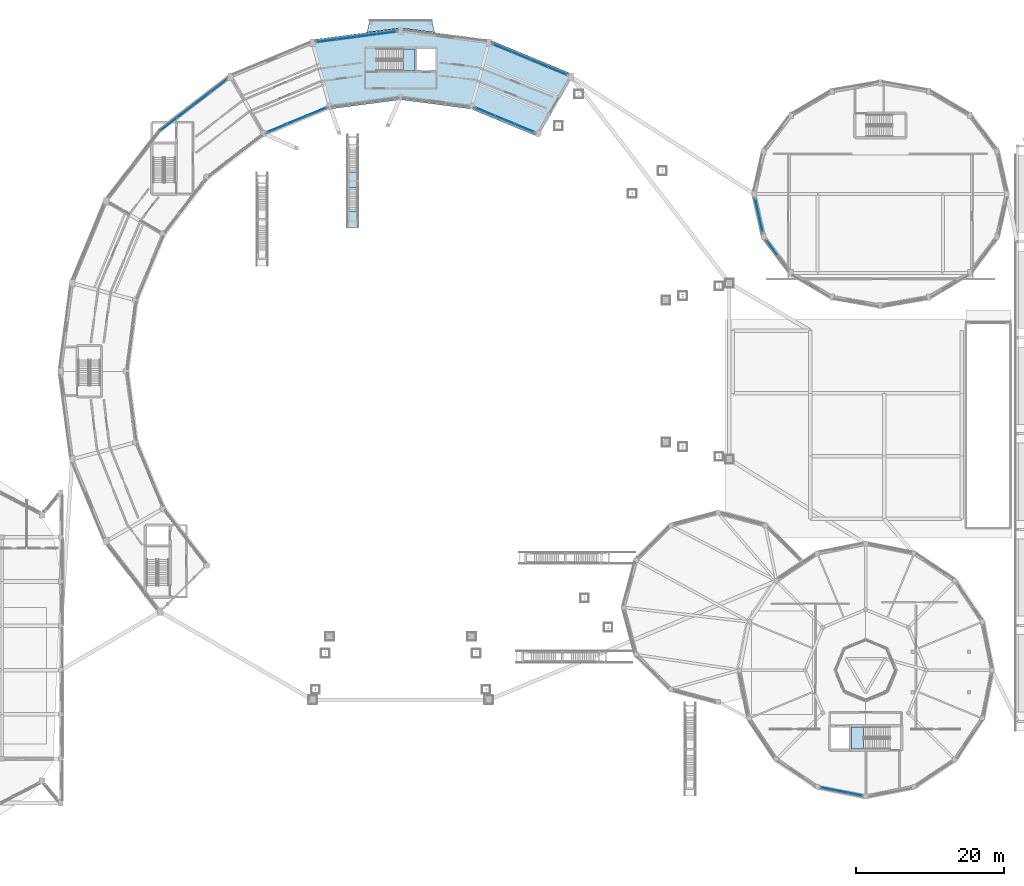
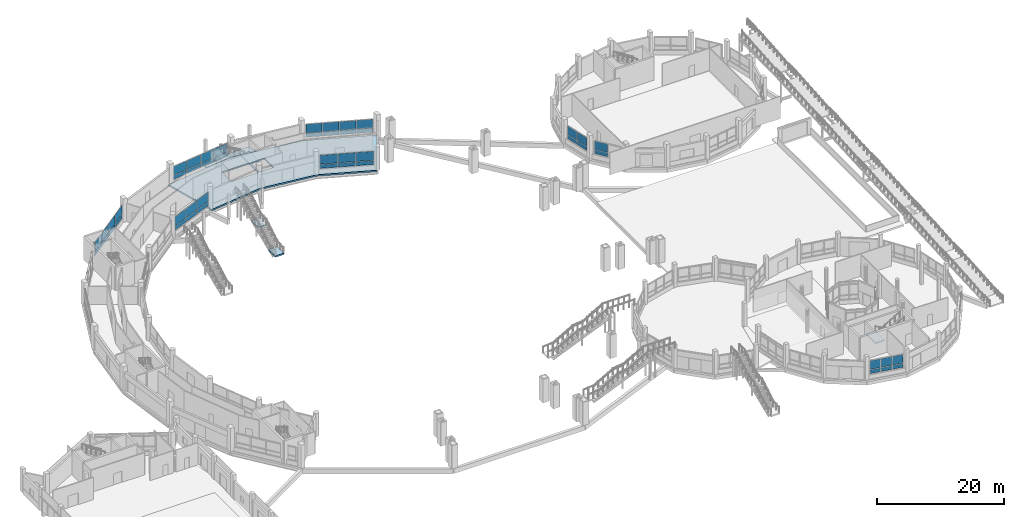
# One storey, part 101 of 129: 48 plates, 6 slabs, 11 elements without a shape of their own.
"""IFC4 building model written with IfcOpenShell, lengths in metres."""

from ifc_helpers import new_model, si_unit, direction, frame, origin, origin_2d, place, context, subcontext, project, spatial, polyline, rectangle, outline, extrude, material, layer, layer_set, type_object, element, aggregate, save


model = new_model("IFC4")

# Units and contexts
model_context = context("Model", 3, precision=1e-05, world=origin(), true_north=direction((0.0, 1.0)))
body_context = subcontext(model_context, "Body", "Model", "MODEL_VIEW")
ifc_project = project(units=[si_unit("LENGTHUNIT", "METRE"), si_unit("AREAUNIT", "SQUARE_METRE"), si_unit("VOLUMEUNIT", "CUBIC_METRE"), si_unit("PLANEANGLEUNIT", "RADIAN"), si_unit("MASSUNIT", "GRAM", prefix="KILO")], contexts=[model_context])

# Site, building, storey
site_placement = place(None, origin())
site = spatial("IfcSite", under=ifc_project, at=site_placement, CompositionType="ELEMENT")
building_placement = place(site_placement, origin())
building = spatial("IfcBuilding", under=site, at=building_placement, Name="Vespera Passage Community Centre", CompositionType="ELEMENT")
storey_placement = place(building_placement, origin())
storey = spatial("IfcBuildingStorey", under=building, at=storey_placement, Name="L00", CompositionType="ELEMENT", Elevation=0.0)

# Curtain wall, plates
ifc_material_1 = material(Name="Anodized aluminium 6063-T6", Category="aluminium")
ifc_layer_1 = layer(ifc_material_1, 0.159912109375)
ifc_layer_set_1 = layer_set([ifc_layer_1], Name="Anodized aluminium 6063-T6")
curtain_wall_type_1 = type_object("IfcCurtainWallType", Name="CW-03E", PredefinedType="NOTDEFINED", material=ifc_layer_set_1)
curtain_wall_1_placement = place(storey_placement, origin())
curtain_wall_1 = element("IfcCurtainWall", 1, at=curtain_wall_1_placement, inside=storey, type_object=curtain_wall_type_1, Name="V4 L00 Outer Ribbon Curtain Wall 6", PredefinedType="NOTDEFINED")
ifc_material_2 = material(Name="Low-E insulated vision glass", Category="glass")
ifc_layer_2 = layer(ifc_material_2, 0.02001953125)
ifc_layer_set_2 = layer_set([ifc_layer_2], Name="Low-E insulated vision glass")
plate_type_1 = type_object("IfcPlateType", Name="PL-CWP-20E", PredefinedType="CURTAIN_PANEL", material=ifc_layer_set_2)
plate_1_placement = place(storey_placement, frame((68.01708984375, 110.28564453125, 0.8798828125), z_axis=(0.0, 0.0, 1.0), x_axis=(0.991444252276, 0.130530818696, 0.0)))
plate_1 = element("IfcPlate", 2, at=plate_1_placement, type_object=plate_type_1, Name="CW-03E panel 1.1", PredefinedType="CURTAIN_PANEL", context=body_context, shape_type="SweptSolid", body=[
    extrude(rectangle(XDim=2.614501953125, YDim=0.02001953125, at=origin_2d()), origin(), (0.0, 0.0, 1.0), 0.760009765625),
])
plate_2_placement = place(storey_placement, frame((68.01708984375, 110.28564453125, 1.699951171875), z_axis=(0.0, 0.0, 1.0), x_axis=(0.991444252276, 0.130530818696, 0.0)))
plate_2 = element("IfcPlate", 3, at=plate_2_placement, type_object=plate_type_1, Name="CW-03E panel 1.2", PredefinedType="CURTAIN_PANEL", context=body_context, shape_type="SweptSolid", body=[
    extrude(rectangle(XDim=2.614501953125, YDim=0.02001953125, at=origin_2d()), origin(), (0.0, 0.0, 1.0), 1.685546875),
])
plate_3_placement = place(storey_placement, frame((70.689697265625, 110.6376953125, 0.8798828125), z_axis=(0.0, 0.0, 1.0), x_axis=(0.991444252276, 0.130530818696, 0.0)))
plate_3 = element("IfcPlate", 4, at=plate_3_placement, type_object=plate_type_1, Name="CW-03E panel 2.1", PredefinedType="CURTAIN_PANEL", context=body_context, shape_type="SweptSolid", body=[
    extrude(rectangle(XDim=2.64697265625, YDim=0.02001953125, at=origin_2d()), origin(), (0.0, 0.0, 1.0), 0.760009765625),
])
plate_4_placement = place(storey_placement, frame((70.689697265625, 110.6376953125, 1.699951171875), z_axis=(0.0, 0.0, 1.0), x_axis=(0.991444252276, 0.130530818696, 0.0)))
plate_4 = element("IfcPlate", 5, at=plate_4_placement, type_object=plate_type_1, Name="CW-03E panel 2.2", PredefinedType="CURTAIN_PANEL", context=body_context, shape_type="SweptSolid", body=[
    extrude(rectangle(XDim=2.64697265625, YDim=0.02001953125, at=origin_2d()), origin(), (0.0, 0.0, 1.0), 1.685546875),
])
plate_5_placement = place(storey_placement, frame((73.378662109375, 110.99169921875, 0.8798828125), z_axis=(0.0, 0.0, 1.0), x_axis=(0.991444252276, 0.130530818696, 0.0)))
plate_5 = element("IfcPlate", 6, at=plate_5_placement, type_object=plate_type_1, Name="CW-03E panel 3.1", PredefinedType="CURTAIN_PANEL", context=body_context, shape_type="SweptSolid", body=[
    extrude(rectangle(XDim=2.64697265625, YDim=0.02001953125, at=origin_2d()), origin(), (0.0, 0.0, 1.0), 0.760009765625),
])
plate_6_placement = place(storey_placement, frame((73.378662109375, 110.99169921875, 1.699951171875), z_axis=(0.0, 0.0, 1.0), x_axis=(0.991444252276, 0.130530818696, 0.0)))
plate_6 = element("IfcPlate", 7, at=plate_6_placement, type_object=plate_type_1, Name="CW-03E panel 3.2", PredefinedType="CURTAIN_PANEL", context=body_context, shape_type="SweptSolid", body=[
    extrude(rectangle(XDim=2.64697265625, YDim=0.02001953125, at=origin_2d()), origin(), (0.0, 0.0, 1.0), 1.685546875),
])
plate_7_placement = place(storey_placement, frame((76.05126953125, 111.343505859375, 0.8798828125), z_axis=(0.0, 0.0, 1.0), x_axis=(0.991444252276, 0.130530818696, 0.0)))
plate_7 = element("IfcPlate", 8, at=plate_7_placement, type_object=plate_type_1, Name="CW-03E panel 4.1", PredefinedType="CURTAIN_PANEL", context=body_context, shape_type="SweptSolid", body=[
    extrude(rectangle(XDim=2.614501953125, YDim=0.02001953125, at=origin_2d()), origin(), (0.0, 0.0, 1.0), 0.760009765625),
])
plate_8_placement = place(storey_placement, frame((76.05126953125, 111.343505859375, 1.699951171875), z_axis=(0.0, 0.0, 1.0), x_axis=(0.991444252276, 0.130530818696, 0.0)))
plate_8 = element("IfcPlate", 9, at=plate_8_placement, type_object=plate_type_1, Name="CW-03E panel 4.2", PredefinedType="CURTAIN_PANEL", context=body_context, shape_type="SweptSolid", body=[
    extrude(rectangle(XDim=2.614501953125, YDim=0.02001953125, at=origin_2d()), origin(), (0.0, 0.0, 1.0), 1.685546875),
])
aggregate(curtain_wall_1, [plate_1, plate_2, plate_3, plate_4, plate_5, plate_6, plate_7, plate_8])

ifc_material_3 = material(Name="Anodized aluminium 6063-T6", Category="aluminium")
ifc_layer_3 = layer(ifc_material_3, 0.159912109375)
ifc_layer_set_3 = layer_set([ifc_layer_3], Name="Anodized aluminium 6063-T6")
curtain_wall_type_2 = type_object("IfcCurtainWallType", Name="CW-101E", PredefinedType="NOTDEFINED", material=ifc_layer_set_3)
curtain_wall_2_placement = place(storey_placement, origin())
curtain_wall_2 = element("IfcCurtainWall", 10, at=curtain_wall_2_placement, inside=storey, type_object=curtain_wall_type_2, Name="Dining Drum Ribbon Curtain Wall L00.12", PredefinedType="NOTDEFINED")
plate_9_placement = place(storey_placement, frame((139.5625, 8.18603515625, 0.89990234375), z_axis=(0.0, 0.0, 1.0), x_axis=(-0.980783996069, 0.195096778691, 0.0)))
plate_9 = element("IfcPlate", 11, at=plate_9_placement, type_object=plate_type_1, Name="CW-101E panel 1.1", PredefinedType="CURTAIN_PANEL", context=body_context, shape_type="SweptSolid", body=[
    extrude(rectangle(XDim=1.789306640625, YDim=0.02001953125, at=origin_2d()), origin(), (0.0, 0.0, 1.0), 0.699951171875),
])
plate_10_placement = place(storey_placement, frame((139.5625, 8.18603515625, 1.7001953125), z_axis=(0.0, 0.0, 1.0), x_axis=(-0.980783996069, 0.195096778691, 0.0)))
plate_10 = element("IfcPlate", 12, at=plate_10_placement, type_object=plate_type_1, Name="CW-101E panel 1.2", PredefinedType="CURTAIN_PANEL", context=body_context, shape_type="SweptSolid", body=[
    extrude(rectangle(XDim=1.789306640625, YDim=0.02001953125, at=origin_2d()), origin(), (0.0, 0.0, 1.0), 1.675048828125),
])
plate_11_placement = place(storey_placement, frame((137.72802734375, 8.55078125, 0.89990234375), z_axis=(0.0, 0.0, 1.0), x_axis=(-0.980783996069, 0.195096778691, 0.0)))
plate_11 = element("IfcPlate", 13, at=plate_11_placement, type_object=plate_type_1, Name="CW-101E panel 2.1", PredefinedType="CURTAIN_PANEL", context=body_context, shape_type="SweptSolid", body=[
    extrude(rectangle(XDim=1.82177734375, YDim=0.02001953125, at=origin_2d()), origin(), (0.0, 0.0, 1.0), 0.699951171875),
])
plate_12_placement = place(storey_placement, frame((137.72802734375, 8.55078125, 1.7001953125), z_axis=(0.0, 0.0, 1.0), x_axis=(-0.980783996069, 0.195096778691, 0.0)))
plate_12 = element("IfcPlate", 14, at=plate_12_placement, type_object=plate_type_1, Name="CW-101E panel 2.2", PredefinedType="CURTAIN_PANEL", context=body_context, shape_type="SweptSolid", body=[
    extrude(rectangle(XDim=1.82177734375, YDim=0.02001953125, at=origin_2d()), origin(), (0.0, 0.0, 1.0), 1.675048828125),
])
plate_13_placement = place(storey_placement, frame((135.8935546875, 8.915771484375, 0.89990234375), z_axis=(0.0, 0.0, 1.0), x_axis=(-0.980783996069, 0.195096778691, 0.0)))
plate_13 = element("IfcPlate", 15, at=plate_13_placement, type_object=plate_type_1, Name="CW-101E panel 3.1", PredefinedType="CURTAIN_PANEL", context=body_context, shape_type="SweptSolid", body=[
    extrude(rectangle(XDim=1.789306640625, YDim=0.02001953125, at=origin_2d()), origin(), (0.0, 0.0, 1.0), 0.699951171875),
])
plate_14_placement = place(storey_placement, frame((135.8935546875, 8.915771484375, 1.7001953125), z_axis=(0.0, 0.0, 1.0), x_axis=(-0.980783996069, 0.195096778691, 0.0)))
plate_14 = element("IfcPlate", 16, at=plate_14_placement, type_object=plate_type_1, Name="CW-101E panel 3.2", PredefinedType="CURTAIN_PANEL", context=body_context, shape_type="SweptSolid", body=[
    extrude(rectangle(XDim=1.789306640625, YDim=0.02001953125, at=origin_2d()), origin(), (0.0, 0.0, 1.0), 1.675048828125),
])
aggregate(curtain_wall_2, [plate_9, plate_10, plate_11, plate_12, plate_13, plate_14])

ifc_material_4 = material(Name="Anodized aluminium 6063-T6", Category="aluminium")
ifc_layer_4 = layer(ifc_material_4, 0.159912109375)
ifc_layer_set_4 = layer_set([ifc_layer_4], Name="Anodized aluminium 6063-T6")
curtain_wall_type_3 = type_object("IfcCurtainWallType", Name="CW-01E", PredefinedType="NOTDEFINED", material=ifc_layer_set_4)
curtain_wall_3_placement = place(storey_placement, origin())
curtain_wall_3 = element("IfcCurtainWall", 17, at=curtain_wall_3_placement, inside=storey, type_object=curtain_wall_type_3, Name="V4 L00 Outer Ribbon Curtain Wall 4", PredefinedType="NOTDEFINED")
ifc_material_5 = material(Name="Low-E insulated vision glass", Category="glass")
ifc_layer_5 = layer(ifc_material_5, 0.028076171875)
ifc_layer_set_5 = layer_set([ifc_layer_5], Name="Low-E insulated vision glass")
plate_type_2 = type_object("IfcPlateType", Name="PL-CWP-28E", PredefinedType="CURTAIN_PANEL", material=ifc_layer_set_5)
plate_15_placement = place(storey_placement, frame((91.76904296875, 109.26806640625, 0.8798828125), z_axis=(0.0, 0.0, 1.0), x_axis=(0.923879738007, -0.382682936255, 0.0)))
plate_15 = element("IfcPlate", 18, at=plate_15_placement, type_object=plate_type_2, Name="CW-01E panel 1.1", PredefinedType="CURTAIN_PANEL", context=body_context, shape_type="SweptSolid", body=[
    extrude(rectangle(XDim=2.585693359375, YDim=0.028076171875, at=origin_2d()), origin(), (0.0, 0.0, 1.0), 0.760009765625),
])
plate_16_placement = place(storey_placement, frame((91.76904296875, 109.26806640625, 1.699951171875), z_axis=(0.0, 0.0, 1.0), x_axis=(0.923879738007, -0.382682936255, 0.0)))
plate_16 = element("IfcPlate", 19, at=plate_16_placement, type_object=plate_type_2, Name="CW-01E panel 1.2", PredefinedType="CURTAIN_PANEL", context=body_context, shape_type="SweptSolid", body=[
    extrude(rectangle(XDim=2.585693359375, YDim=0.028076171875, at=origin_2d()), origin(), (0.0, 0.0, 1.0), 1.685546875),
])
plate_17_placement = place(storey_placement, frame((94.244384765625, 108.24267578125, 0.8798828125), z_axis=(0.0, 0.0, 1.0), x_axis=(0.923879738007, -0.382682936255, 0.0)))
plate_17 = element("IfcPlate", 20, at=plate_17_placement, type_object=plate_type_2, Name="CW-01E panel 2.1", PredefinedType="CURTAIN_PANEL", context=body_context, shape_type="SweptSolid", body=[
    extrude(rectangle(XDim=2.623291015625, YDim=0.028076171875, at=origin_2d()), origin(), (0.0, 0.0, 1.0), 0.760009765625),
])
plate_18_placement = place(storey_placement, frame((94.244384765625, 108.24267578125, 1.699951171875), z_axis=(0.0, 0.0, 1.0), x_axis=(0.923879738007, -0.382682936255, 0.0)))
plate_18 = element("IfcPlate", 21, at=plate_18_placement, type_object=plate_type_2, Name="CW-01E panel 2.2", PredefinedType="CURTAIN_PANEL", context=body_context, shape_type="SweptSolid", body=[
    extrude(rectangle(XDim=2.623291015625, YDim=0.028076171875, at=origin_2d()), origin(), (0.0, 0.0, 1.0), 1.685546875),
])
plate_19_placement = place(storey_placement, frame((96.7373046875, 107.210205078125, 0.8798828125), z_axis=(0.0, 0.0, 1.0), x_axis=(0.923879738007, -0.382682936255, 0.0)))
plate_19 = element("IfcPlate", 22, at=plate_19_placement, type_object=plate_type_2, Name="CW-01E panel 3.1", PredefinedType="CURTAIN_PANEL", context=body_context, shape_type="SweptSolid", body=[
    extrude(rectangle(XDim=2.623291015625, YDim=0.028076171875, at=origin_2d()), origin(), (0.0, 0.0, 1.0), 0.760009765625),
])
plate_20_placement = place(storey_placement, frame((96.7373046875, 107.210205078125, 1.699951171875), z_axis=(0.0, 0.0, 1.0), x_axis=(0.923879738007, -0.382682936255, 0.0)))
plate_20 = element("IfcPlate", 23, at=plate_20_placement, type_object=plate_type_2, Name="CW-01E panel 3.2", PredefinedType="CURTAIN_PANEL", context=body_context, shape_type="SweptSolid", body=[
    extrude(rectangle(XDim=2.623291015625, YDim=0.028076171875, at=origin_2d()), origin(), (0.0, 0.0, 1.0), 1.685546875),
])
plate_21_placement = place(storey_placement, frame((99.212646484375, 106.184814453125, 0.8798828125), z_axis=(0.0, 0.0, 1.0), x_axis=(0.923879738007, -0.382682936255, 0.0)))
plate_21 = element("IfcPlate", 24, at=plate_21_placement, type_object=plate_type_2, Name="CW-01E panel 4.1", PredefinedType="CURTAIN_PANEL", context=body_context, shape_type="SweptSolid", body=[
    extrude(rectangle(XDim=2.585693359375, YDim=0.028076171875, at=origin_2d()), origin(), (0.0, 0.0, 1.0), 0.760009765625),
])
plate_22_placement = place(storey_placement, frame((99.212646484375, 106.184814453125, 1.699951171875), z_axis=(0.0, 0.0, 1.0), x_axis=(0.923879738007, -0.382682936255, 0.0)))
plate_22 = element("IfcPlate", 25, at=plate_22_placement, type_object=plate_type_2, Name="CW-01E panel 4.2", PredefinedType="CURTAIN_PANEL", context=body_context, shape_type="SweptSolid", body=[
    extrude(rectangle(XDim=2.585693359375, YDim=0.028076171875, at=origin_2d()), origin(), (0.0, 0.0, 1.0), 1.685546875),
])
aggregate(curtain_wall_3, [plate_15, plate_16, plate_17, plate_18, plate_19, plate_20, plate_21, plate_22])

ifc_material_6 = material(Name="Anodized aluminium 6063-T6", Category="aluminium")
ifc_layer_6 = layer(ifc_material_6, 0.159912109375)
ifc_layer_set_6 = layer_set([ifc_layer_6], Name="Anodized aluminium 6063-T6")
curtain_wall_type_4 = type_object("IfcCurtainWallType", Name="CW-02E", PredefinedType="NOTDEFINED", material=ifc_layer_set_6)
curtain_wall_4_placement = place(storey_placement, origin())
curtain_wall_4 = element("IfcCurtainWall", 26, at=curtain_wall_4_placement, inside=storey, type_object=curtain_wall_type_4, Name="V4 L00 Inner Court Curtain Wall 4", PredefinedType="NOTDEFINED")
plate_23_placement = place(storey_placement, frame((94.7548828125, 98.480224609375, 0.919921875), z_axis=(0.0, 0.0, 1.0), x_axis=(-0.923876620096, 0.382690463482, 0.0)))
plate_23 = element("IfcPlate", 27, at=plate_23_placement, type_object=plate_type_2, Name="CW-02E panel 1.1", PredefinedType="CURTAIN_PANEL", context=body_context, shape_type="SweptSolid", body=[
    extrude(rectangle(XDim=2.7646484375, YDim=0.028076171875, at=origin_2d()), origin(), (0.0, 0.0, 1.0), 0.699951171875),
])
plate_24_placement = place(storey_placement, frame((94.7548828125, 98.480224609375, 1.719970703125), z_axis=(0.0, 0.0, 1.0), x_axis=(-0.923876620096, 0.382690463482, 0.0)))
plate_24 = element("IfcPlate", 28, at=plate_24_placement, type_object=plate_type_2, Name="CW-02E panel 1.2", PredefinedType="CURTAIN_PANEL", context=body_context, shape_type="SweptSolid", body=[
    extrude(rectangle(XDim=2.7646484375, YDim=0.028076171875, at=origin_2d()), origin(), (0.0, 0.0, 1.0), 1.70947265625),
])
plate_25_placement = place(storey_placement, frame((92.114013671875, 99.57421875, 0.919921875), z_axis=(0.0, 0.0, 1.0), x_axis=(-0.923876620096, 0.382690463482, 0.0)))
plate_25 = element("IfcPlate", 29, at=plate_25_placement, type_object=plate_type_2, Name="CW-02E panel 2.1", PredefinedType="CURTAIN_PANEL", context=body_context, shape_type="SweptSolid", body=[
    extrude(rectangle(XDim=2.80224609375, YDim=0.028076171875, at=origin_2d()), origin(), (0.0, 0.0, 1.0), 0.699951171875),
])
plate_26_placement = place(storey_placement, frame((92.114013671875, 99.57421875, 1.719970703125), z_axis=(0.0, 0.0, 1.0), x_axis=(-0.923876620096, 0.382690463482, 0.0)))
plate_26 = element("IfcPlate", 30, at=plate_26_placement, type_object=plate_type_2, Name="CW-02E panel 2.2", PredefinedType="CURTAIN_PANEL", context=body_context, shape_type="SweptSolid", body=[
    extrude(rectangle(XDim=2.80224609375, YDim=0.028076171875, at=origin_2d()), origin(), (0.0, 0.0, 1.0), 1.70947265625),
])
plate_27_placement = place(storey_placement, frame((89.47314453125, 100.668212890625, 0.919921875), z_axis=(0.0, 0.0, 1.0), x_axis=(-0.923876620096, 0.382690463482, 0.0)))
plate_27 = element("IfcPlate", 31, at=plate_27_placement, type_object=plate_type_2, Name="CW-02E panel 3.1", PredefinedType="CURTAIN_PANEL", context=body_context, shape_type="SweptSolid", body=[
    extrude(rectangle(XDim=2.7646484375, YDim=0.028076171875, at=origin_2d()), origin(), (0.0, 0.0, 1.0), 0.699951171875),
])
plate_28_placement = place(storey_placement, frame((89.47314453125, 100.668212890625, 1.719970703125), z_axis=(0.0, 0.0, 1.0), x_axis=(-0.923876620096, 0.382690463482, 0.0)))
plate_28 = element("IfcPlate", 32, at=plate_28_placement, type_object=plate_type_2, Name="CW-02E panel 3.2", PredefinedType="CURTAIN_PANEL", context=body_context, shape_type="SweptSolid", body=[
    extrude(rectangle(XDim=2.7646484375, YDim=0.028076171875, at=origin_2d()), origin(), (0.0, 0.0, 1.0), 1.70947265625),
])
aggregate(curtain_wall_4, [plate_23, plate_24, plate_25, plate_26, plate_27, plate_28])

curtain_wall_5_placement = place(storey_placement, origin())
curtain_wall_5 = element("IfcCurtainWall", 33, at=curtain_wall_5_placement, inside=storey, type_object=curtain_wall_type_4, Name="V4 L00 Inner Court Curtain Wall 7", PredefinedType="NOTDEFINED")
plate_29_placement = place(storey_placement, frame((66.52685546875, 100.668212890625, 0.8798828125), z_axis=(0.0, 0.0, 1.0), x_axis=(-0.923876620096, -0.382690463482, 0.0)))
plate_29 = element("IfcPlate", 34, at=plate_29_placement, type_object=plate_type_2, Name="CW-02E panel 1.1", PredefinedType="CURTAIN_PANEL", context=body_context, shape_type="SweptSolid", body=[
    extrude(rectangle(XDim=2.7646484375, YDim=0.028076171875, at=origin_2d()), origin(), (0.0, 0.0, 1.0), 0.760009765625),
])
plate_30_placement = place(storey_placement, frame((66.52685546875, 100.668212890625, 1.7001953125), z_axis=(0.0, 0.0, 1.0), x_axis=(-0.923876620096, -0.382690463482, 0.0)))
plate_30 = element("IfcPlate", 35, at=plate_30_placement, type_object=plate_type_2, Name="CW-02E panel 1.2", PredefinedType="CURTAIN_PANEL", context=body_context, shape_type="SweptSolid", body=[
    extrude(rectangle(XDim=2.7646484375, YDim=0.028076171875, at=origin_2d()), origin(), (0.0, 0.0, 1.0), 1.769287109375),
])
plate_31_placement = place(storey_placement, frame((63.885986328125, 99.57421875, 0.8798828125), z_axis=(0.0, 0.0, 1.0), x_axis=(-0.923876620096, -0.382690463482, 0.0)))
plate_31 = element("IfcPlate", 36, at=plate_31_placement, type_object=plate_type_2, Name="CW-02E panel 2.1", PredefinedType="CURTAIN_PANEL", context=body_context, shape_type="SweptSolid", body=[
    extrude(rectangle(XDim=2.80224609375, YDim=0.028076171875, at=origin_2d()), origin(), (0.0, 0.0, 1.0), 0.760009765625),
])
plate_32_placement = place(storey_placement, frame((63.885986328125, 99.57421875, 1.7001953125), z_axis=(0.0, 0.0, 1.0), x_axis=(-0.923876620096, -0.382690463482, 0.0)))
plate_32 = element("IfcPlate", 37, at=plate_32_placement, type_object=plate_type_2, Name="CW-02E panel 2.2", PredefinedType="CURTAIN_PANEL", context=body_context, shape_type="SweptSolid", body=[
    extrude(rectangle(XDim=2.80224609375, YDim=0.028076171875, at=origin_2d()), origin(), (0.0, 0.0, 1.0), 1.769287109375),
])
plate_33_placement = place(storey_placement, frame((61.2451171875, 98.480224609375, 0.8798828125), z_axis=(0.0, 0.0, 1.0), x_axis=(-0.923876620096, -0.382690463482, 0.0)))
plate_33 = element("IfcPlate", 38, at=plate_33_placement, type_object=plate_type_2, Name="CW-02E panel 3.1", PredefinedType="CURTAIN_PANEL", context=body_context, shape_type="SweptSolid", body=[
    extrude(rectangle(XDim=2.7646484375, YDim=0.028076171875, at=origin_2d()), origin(), (0.0, 0.0, 1.0), 0.760009765625),
])
plate_34_placement = place(storey_placement, frame((61.2451171875, 98.480224609375, 1.7001953125), z_axis=(0.0, 0.0, 1.0), x_axis=(-0.923876620096, -0.382690463482, 0.0)))
plate_34 = element("IfcPlate", 39, at=plate_34_placement, type_object=plate_type_2, Name="CW-02E panel 3.2", PredefinedType="CURTAIN_PANEL", context=body_context, shape_type="SweptSolid", body=[
    extrude(rectangle(XDim=2.7646484375, YDim=0.028076171875, at=origin_2d()), origin(), (0.0, 0.0, 1.0), 1.769287109375),
])
aggregate(curtain_wall_5, [plate_29, plate_30, plate_31, plate_32, plate_33, plate_34])

ifc_material_7 = material(Name="Anodized aluminium 6063-T6", Category="aluminium")
ifc_layer_7 = layer(ifc_material_7, 0.159912109375)
ifc_layer_set_7 = layer_set([ifc_layer_7], Name="Anodized aluminium 6063-T6")
curtain_wall_type_5 = type_object("IfcCurtainWallType", Name="CW-89E", PredefinedType="NOTDEFINED", material=ifc_layer_set_7)
curtain_wall_6_placement = place(storey_placement, origin())
curtain_wall_6 = element("IfcCurtainWall", 40, at=curtain_wall_6_placement, inside=storey, type_object=curtain_wall_type_5, Name="Sports Drum Ribbon Curtain Wall L00.9", PredefinedType="NOTDEFINED")
plate_35_placement = place(storey_placement, frame((126.7978515625, 85.51416015625, 0.91015625), z_axis=(0.0, 0.0, 1.0), x_axis=(-0.219762591846, 0.975553383073, 0.0)))
plate_35 = element("IfcPlate", 41, at=plate_35_placement, type_object=plate_type_2, Name="CW-89E panel 1.1", PredefinedType="CURTAIN_PANEL", context=body_context, shape_type="SweptSolid", body=[
    extrude(rectangle(XDim=2.1728515625, YDim=0.028076171875, at=origin_2d()), origin(), (0.0, 0.0, 1.0), 0.760009765625),
])
plate_36_placement = place(storey_placement, frame((126.7978515625, 85.51416015625, 1.72998046875), z_axis=(0.0, 0.0, 1.0), x_axis=(-0.219762591846, 0.975553383073, 0.0)))
plate_36 = element("IfcPlate", 42, at=plate_36_placement, type_object=plate_type_2, Name="CW-89E panel 1.2", PredefinedType="CURTAIN_PANEL", context=body_context, shape_type="SweptSolid", body=[
    extrude(rectangle(XDim=2.1728515625, YDim=0.028076171875, at=origin_2d()), origin(), (0.0, 0.0, 1.0), 1.635009765625),
])
plate_37_placement = place(storey_placement, frame((126.303955078125, 87.707275390625, 0.91015625), z_axis=(0.0, 0.0, 1.0), x_axis=(-0.219762591846, 0.975553383073, 0.0)))
plate_37 = element("IfcPlate", 43, at=plate_37_placement, type_object=plate_type_2, Name="CW-89E panel 2.1", PredefinedType="CURTAIN_PANEL", context=body_context, shape_type="SweptSolid", body=[
    extrude(rectangle(XDim=2.1728515625, YDim=0.028076171875, at=origin_2d()), origin(), (0.0, 0.0, 1.0), 0.760009765625),
])
plate_38_placement = place(storey_placement, frame((126.303955078125, 87.707275390625, 1.72998046875), z_axis=(0.0, 0.0, 1.0), x_axis=(-0.219762591846, 0.975553383073, 0.0)))
plate_38 = element("IfcPlate", 44, at=plate_38_placement, type_object=plate_type_2, Name="CW-89E panel 2.2", PredefinedType="CURTAIN_PANEL", context=body_context, shape_type="SweptSolid", body=[
    extrude(rectangle(XDim=2.1728515625, YDim=0.028076171875, at=origin_2d()), origin(), (0.0, 0.0, 1.0), 1.635009765625),
])
aggregate(curtain_wall_6, [plate_35, plate_36, plate_37, plate_38])

ifc_material_8 = material(Name="Anodized aluminium 6063-T6", Category="aluminium")
ifc_layer_8 = layer(ifc_material_8, 0.159912109375)
ifc_layer_set_8 = layer_set([ifc_layer_8], Name="Anodized aluminium 6063-T6")
curtain_wall_type_6 = type_object("IfcCurtainWallType", Name="CW-90E", PredefinedType="NOTDEFINED", material=ifc_layer_set_8)
curtain_wall_7_placement = place(storey_placement, origin())
curtain_wall_7 = element("IfcCurtainWall", 45, at=curtain_wall_7_placement, inside=storey, type_object=curtain_wall_type_6, Name="Sports Drum Ribbon Curtain Wall L00.10", PredefinedType="NOTDEFINED")
plate_39_placement = place(storey_placement, frame((128.3544921875, 82.197998046875, 0.91015625), z_axis=(0.0, 0.0, 1.0), x_axis=(-0.603405522961, 0.797434495654, 0.0)))
plate_39 = element("IfcPlate", 46, at=plate_39_placement, type_object=plate_type_2, Name="CW-90E panel 2.1", PredefinedType="CURTAIN_PANEL", context=body_context, shape_type="SweptSolid", body=[
    extrude(rectangle(XDim=2.246826171875, YDim=0.028076171875, at=origin_2d()), origin(), (0.0, 0.0, 1.0), 0.760009765625),
])
plate_40_placement = place(storey_placement, frame((128.3544921875, 82.197998046875, 1.72998046875), z_axis=(0.0, 0.0, 1.0), x_axis=(-0.603405522961, 0.797434495654, 0.0)))
plate_40 = element("IfcPlate", 47, at=plate_40_placement, type_object=plate_type_2, Name="CW-90E panel 2.2", PredefinedType="CURTAIN_PANEL", context=body_context, shape_type="SweptSolid", body=[
    extrude(rectangle(XDim=2.246826171875, YDim=0.028076171875, at=origin_2d()), origin(), (0.0, 0.0, 1.0), 1.635009765625),
])
aggregate(curtain_wall_7, [plate_39, plate_40])

ifc_material_9 = material(Name="Anodized aluminium 6063-T6", Category="aluminium")
ifc_layer_9 = layer(ifc_material_9, 0.159912109375)
ifc_layer_set_9 = layer_set([ifc_layer_9], Name="Anodized aluminium 6063-T6")
curtain_wall_type_7 = type_object("IfcCurtainWallType", Name="CW-04E", PredefinedType="NOTDEFINED", material=ifc_layer_set_9)
curtain_wall_8_placement = place(storey_placement, origin())
curtain_wall_8 = element("IfcCurtainWall", 48, at=curtain_wall_8_placement, inside=storey, type_object=curtain_wall_type_7, Name="V4 L00 Outer Ribbon Curtain Wall 8", PredefinedType="NOTDEFINED")
ifc_material_10 = material(Name="Translucent glass block", Category="glass")
ifc_layer_10 = layer(ifc_material_10, 0.044921875)
ifc_layer_set_10 = layer_set([ifc_layer_10], Name="Translucent glass block")
plate_type_3 = type_object("IfcPlateType", Name="PL-CWP-45E", PredefinedType="CURTAIN_PANEL", material=ifc_layer_set_10)
plate_41_placement = place(storey_placement, frame((46.54248046875, 98.972412109375, 0.8798828125), z_axis=(0.0, 0.0, 1.0), x_axis=(0.793348128169, 0.608768221519, 0.0)))
plate_41 = element("IfcPlate", 49, at=plate_41_placement, type_object=plate_type_3, Name="CW-04E panel 1.1", PredefinedType="CURTAIN_PANEL", context=body_context, shape_type="SweptSolid", body=[
    extrude(rectangle(XDim=2.72412109375, YDim=0.044921875, at=origin_2d()), origin(), (0.0, 0.0, 1.0), 0.760009765625),
])
plate_42_placement = place(storey_placement, frame((46.54248046875, 98.972412109375, 1.699951171875), z_axis=(0.0, 0.0, 1.0), x_axis=(0.793348128169, 0.608768221519, 0.0)))
plate_42 = element("IfcPlate", 50, at=plate_42_placement, type_object=plate_type_3, Name="CW-04E panel 1.2", PredefinedType="CURTAIN_PANEL", context=body_context, shape_type="SweptSolid", body=[
    extrude(rectangle(XDim=2.72412109375, YDim=0.044921875, at=origin_2d()), origin(), (0.0, 0.0, 1.0), 1.685546875),
])
plate_43_placement = place(storey_placement, frame((48.778076171875, 100.68798828125, 0.8798828125), z_axis=(0.0, 0.0, 1.0), x_axis=(0.793348128169, 0.608768221519, 0.0)))
plate_43 = element("IfcPlate", 51, at=plate_43_placement, type_object=plate_type_3, Name="CW-04E panel 2.1", PredefinedType="CURTAIN_PANEL", context=body_context, shape_type="SweptSolid", body=[
    extrude(rectangle(XDim=2.76171875, YDim=0.044921875, at=origin_2d()), origin(), (0.0, 0.0, 1.0), 0.760009765625),
])
plate_44_placement = place(storey_placement, frame((48.778076171875, 100.68798828125, 1.699951171875), z_axis=(0.0, 0.0, 1.0), x_axis=(0.793348128169, 0.608768221519, 0.0)))
plate_44 = element("IfcPlate", 52, at=plate_44_placement, type_object=plate_type_3, Name="CW-04E panel 2.2", PredefinedType="CURTAIN_PANEL", context=body_context, shape_type="SweptSolid", body=[
    extrude(rectangle(XDim=2.76171875, YDim=0.044921875, at=origin_2d()), origin(), (0.0, 0.0, 1.0), 1.685546875),
])
plate_45_placement = place(storey_placement, frame((51.028564453125, 102.414794921875, 0.8798828125), z_axis=(0.0, 0.0, 1.0), x_axis=(0.793348128169, 0.608768221519, 0.0)))
plate_45 = element("IfcPlate", 53, at=plate_45_placement, type_object=plate_type_3, Name="CW-04E panel 3.1", PredefinedType="CURTAIN_PANEL", context=body_context, shape_type="SweptSolid", body=[
    extrude(rectangle(XDim=2.76171875, YDim=0.044921875, at=origin_2d()), origin(), (0.0, 0.0, 1.0), 0.760009765625),
])
plate_46_placement = place(storey_placement, frame((51.028564453125, 102.414794921875, 1.699951171875), z_axis=(0.0, 0.0, 1.0), x_axis=(0.793348128169, 0.608768221519, 0.0)))
plate_46 = element("IfcPlate", 54, at=plate_46_placement, type_object=plate_type_3, Name="CW-04E panel 3.2", PredefinedType="CURTAIN_PANEL", context=body_context, shape_type="SweptSolid", body=[
    extrude(rectangle(XDim=2.76171875, YDim=0.044921875, at=origin_2d()), origin(), (0.0, 0.0, 1.0), 1.685546875),
])
plate_47_placement = place(storey_placement, frame((53.26416015625, 104.13037109375, 0.8798828125), z_axis=(0.0, 0.0, 1.0), x_axis=(0.793348128169, 0.608768221519, 0.0)))
plate_47 = element("IfcPlate", 55, at=plate_47_placement, type_object=plate_type_3, Name="CW-04E panel 4.1", PredefinedType="CURTAIN_PANEL", context=body_context, shape_type="SweptSolid", body=[
    extrude(rectangle(XDim=2.72412109375, YDim=0.044921875, at=origin_2d()), origin(), (0.0, 0.0, 1.0), 0.760009765625),
])
plate_48_placement = place(storey_placement, frame((53.26416015625, 104.13037109375, 1.699951171875), z_axis=(0.0, 0.0, 1.0), x_axis=(0.793348128169, 0.608768221519, 0.0)))
plate_48 = element("IfcPlate", 56, at=plate_48_placement, type_object=plate_type_3, Name="CW-04E panel 4.2", PredefinedType="CURTAIN_PANEL", context=body_context, shape_type="SweptSolid", body=[
    extrude(rectangle(XDim=2.72412109375, YDim=0.044921875, at=origin_2d()), origin(), (0.0, 0.0, 1.0), 1.685546875),
])
aggregate(curtain_wall_8, [plate_41, plate_42, plate_43, plate_44, plate_45, plate_46, plate_47, plate_48])

# Slab
ifc_material_11 = material(Name="Concrete f'c 35 MPa", Category="concrete")
ifc_layer_11 = layer(ifc_material_11, 0.280029296875)
ifc_layer_set_11 = layer_set([ifc_layer_11], Name="Concrete f'c 35 MPa")
slab_type_1 = type_object("IfcSlabType", Name="SL-DRUM-280", PredefinedType="FLOOR", material=ifc_layer_set_11)
slab_1_placement = place(storey_placement, frame((0.0, 0.0, -0.280029296875)))
element("IfcSlab", 57, at=slab_1_placement, inside=storey, type_object=slab_type_1, Name="V4 L00 Annular Sector 1 Slab", PredefinedType="FLOOR", context=body_context, shape_type="SweptSolid", body=[
    extrude(outline(polyline([(87.5244140625, 101.046142578125), (78.0, 102.300048828125), (68.4755859375, 101.046142578125), (65.96484375, 110.41552734375), (78.0, 112.0), (90.03515625, 110.41552734375), (101.25, 105.770263671875), (96.39990234375, 97.36962890625), (87.5244140625, 101.046142578125)]), holes=[polyline([(79.955078125, 109.199951171875), (74.985107421875, 109.199951171875), (74.985107421875, 106.199951171875), (79.955078125, 106.199951171875), (79.955078125, 109.199951171875)]), polyline([(82.695068359375, 106.25), (82.695068359375, 109.14990234375), (80.195068359375, 109.14990234375), (80.195068359375, 106.25), (82.695068359375, 106.25)])]), origin(), (0.0, 0.0, 1.0), 0.280029296875),
])

# Stair, slab
ifc_material_12 = material(Name="Concrete f'c 35 MPa", Category="concrete")
stair_type_1 = type_object("IfcStairType", Name="ST-T11", PredefinedType="HALF_TURN_STAIR", material=ifc_material_12)
stair_1_placement = place(storey_placement, origin())
stair_1 = element("IfcStair", 58, at=stair_1_placement, inside=storey, type_object=stair_type_1, Name="L00 Core C4 Exit Stair ST06", PredefinedType="HALF_TURN_STAIR")
ifc_material_13 = material(Name="Concrete f'c 35 MPa", Category="concrete")
ifc_layer_12 = layer(ifc_material_13, 0.199951171875)
ifc_layer_set_12 = layer_set([ifc_layer_12], Name="Concrete f'c 35 MPa")
slab_type_2 = type_object("IfcSlabType", Name="SL-LAND-200I", PredefinedType="LANDING", material=ifc_layer_set_12)
slab_2_placement = place(storey_placement, frame((0.0, 0.0, 2.050048828125)))
slab_2 = element("IfcSlab", 59, at=slab_2_placement, type_object=slab_type_2, Name="ST06 landing 1", PredefinedType="LANDING", context=body_context, shape_type="SweptSolid", body=[
    extrude(outline(polyline([(78.304931640625, 106.199951171875), (79.955078125, 106.199951171875), (79.955078125, 109.199951171875), (78.304931640625, 109.199951171875), (78.304931640625, 106.199951171875)])), origin(), (0.0, 0.0, 1.0), 0.199951171875),
])
aggregate(stair_1, [slab_2])

stair_2_placement = place(storey_placement, origin())
stair_2 = element("IfcStair", 60, at=stair_2_placement, inside=storey, type_object=stair_type_1, Name="L00 Core C7 Exit Stair ST08", PredefinedType="HALF_TURN_STAIR")
slab_3_placement = place(storey_placement, frame((0.0, 0.0, 2.050048828125)))
slab_3 = element("IfcSlab", 61, at=slab_3_placement, type_object=slab_type_2, Name="ST08 landing 1", PredefinedType="LANDING", context=body_context, shape_type="SweptSolid", body=[
    extrude(outline(polyline([(140.695068359375, 17.300048828125), (139.044921875, 17.300048828125), (139.044921875, 14.300048828125), (140.695068359375, 14.300048828125), (140.695068359375, 17.300048828125)])), origin(), (0.0, 0.0, 1.0), 0.199951171875),
])
aggregate(stair_2, [slab_3])

ifc_material_14 = material(Name="Concrete f'c 35 MPa", Category="concrete")
stair_type_2 = type_object("IfcStairType", Name="ST-STR-155", PredefinedType="STRAIGHT_RUN_STAIR", material=ifc_material_14)
stair_3_placement = place(storey_placement, origin())
stair_3 = element("IfcStair", 62, at=stair_3_placement, inside=storey, type_object=stair_type_2, Name="Courtyard Feature Stair ST-CRT-03", PredefinedType="STRAIGHT_RUN_STAIR")
ifc_material_15 = material(Name="Concrete f'c 35 MPa", Category="concrete")
ifc_layer_13 = layer(ifc_material_15, 0.260009765625)
ifc_layer_set_13 = layer_set([ifc_layer_13], Name="Concrete f'c 35 MPa")
slab_type_3 = type_object("IfcSlabType", Name="SL-MLAND-260E", PredefinedType="LANDING", material=ifc_layer_set_13)
slab_4_placement = place(storey_placement, frame((0.0, 0.0, 1.989990234375)))
slab_4 = element("IfcSlab", 63, at=slab_4_placement, type_object=slab_type_3, Name="ST-STR-155 landing 1", PredefinedType="LANDING", context=body_context, shape_type="SweptSolid", body=[
    extrude(outline(polyline([(72.27490234375, 90.39990234375), (72.27490234375, 92.52001953125), (70.72509765625, 92.52001953125), (70.72509765625, 90.39990234375), (72.27490234375, 90.39990234375)])), origin(), (0.0, 0.0, 1.0), 0.260009765625),
])
aggregate(stair_3, [slab_4])

# Slabs
ifc_material_16 = material(Name="Concrete f'c 35 MPa", Category="concrete")
ifc_layer_14 = layer(ifc_material_16, 0.340087890625)
ifc_layer_set_14 = layer_set([ifc_layer_14], Name="Concrete f'c 35 MPa")
slab_type_4 = type_object("IfcSlabType", Name="SL-PLAZA-340E", PredefinedType="FLOOR", material=ifc_layer_set_14)
slab_5_placement = place(storey_placement, frame((0.0, 0.0, -0.340087890625)))
element("IfcSlab", 64, at=slab_5_placement, inside=storey, type_object=slab_type_4, Name="V4 North Park Porch Slab", PredefinedType="FLOOR", context=body_context, shape_type="SweptSolid", body=[
    extrude(outline(polyline([(73.800048828125, 113.10009765625), (82.199951171875, 113.10009765625), (82.574951171875, 111.412841796875), (78.0, 112.01513671875), (73.425048828125, 111.412841796875), (73.800048828125, 113.10009765625)])), origin(), (0.0, 0.0, 1.0), 0.340087890625),
])
ifc_material_17 = material(Name="Concrete f'c 35 MPa", Category="concrete")
ifc_layer_15 = layer(ifc_material_17, 0.260009765625)
ifc_layer_set_15 = layer_set([ifc_layer_15], Name="Concrete f'c 35 MPa")
slab_type_5 = type_object("IfcSlabType", Name="SL-RLAND-260E", PredefinedType="LANDING", material=ifc_layer_set_15)
slab_6_placement = place(storey_placement, frame((0.0, 0.0, -0.260009765625)))
element("IfcSlab", 65, at=slab_6_placement, inside=storey, type_object=slab_type_5, Name="ST-CRT-03 Departure Landing", PredefinedType="LANDING", context=body_context, shape_type="SweptSolid", body=[
    extrude(outline(polyline([(72.27490234375, 85.0), (72.27490234375, 87.1201171875), (70.72509765625, 87.1201171875), (70.72509765625, 85.0), (72.27490234375, 85.0)])), origin(), (0.0, 0.0, 1.0), 0.260009765625),
])

save(model, "model.ifc")
